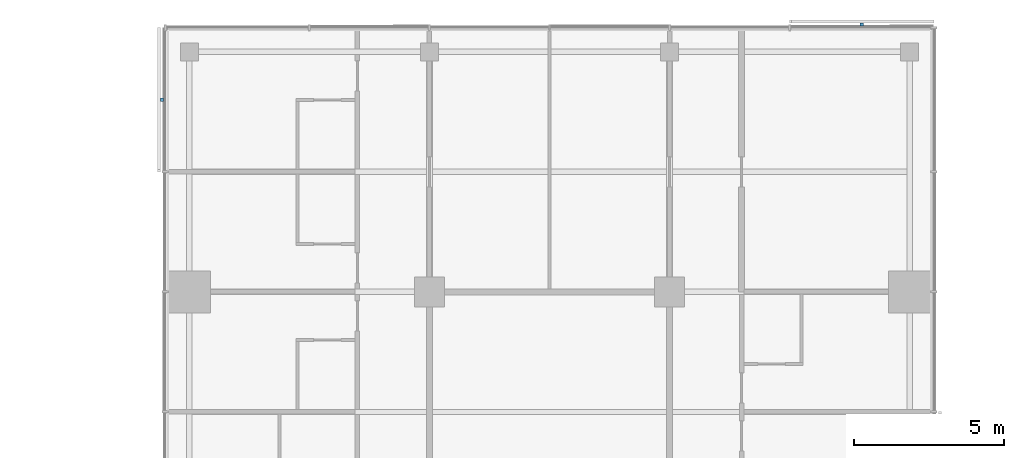
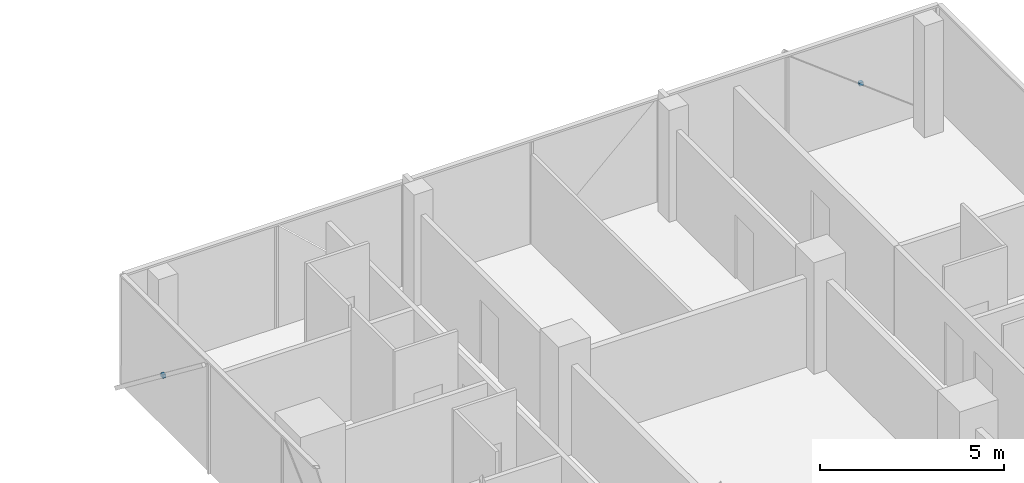
# One storey, part 26 of 27: 2 discrete accessories.
"""IFC4 building model written with IfcOpenShell, lengths in metres."""

from ifc_helpers import new_model, si_unit, direction, frame, origin, origin_2d, place, context, subcontext, project, spatial, rectangle, extrude, material, type_object, element, save


model = new_model("IFC4")

# Units and contexts
model_context = context("Model", 3, precision=1e-05, world=origin(), true_north=direction((0.0, 1.0)))
body_context = subcontext(model_context, "Body", "Model", "MODEL_VIEW")
ifc_project = project(units=[si_unit("LENGTHUNIT", "METRE"), si_unit("AREAUNIT", "SQUARE_METRE"), si_unit("VOLUMEUNIT", "CUBIC_METRE"), si_unit("PLANEANGLEUNIT", "RADIAN"), si_unit("MASSUNIT", "GRAM", prefix="KILO")], contexts=[model_context])

# Site, building, storey
site_placement = place(None, origin())
site = spatial("IfcSite", under=ifc_project, at=site_placement, CompositionType="ELEMENT")
building_placement = place(site_placement, origin())
building = spatial("IfcBuilding", under=site, at=building_placement, Name="Crosswind Convention Tower", CompositionType="ELEMENT")
storey_placement = place(building_placement, frame((0.0, 0.0, 64.60009765625)))
storey = spatial("IfcBuildingStorey", under=building, at=storey_placement, Name="L10", CompositionType="ELEMENT", Elevation=64.60009765625)

# Discrete accessories
ifc_material = material(Name="Stainless steel", Category="steel")
discrete_accessory_type = type_object("IfcDiscreteAccessoryType", Name="BAGUETTE BRACKET BK2", PredefinedType="BRACKET", material=ifc_material)
for number, where, z_axis, x_axis, name in (
    (1, (135.39990234375, 136.907958984375, 1.477294921875), (0.0, 0.0, 1.0), (-1.0, 0.0, 0.0), "BK2 baguette bracket"),
    (2, (112.092041015625, 134.39990234375, 1.477294921875), (0.0, 0.0, 1.0), (0.0, -1.0, 0.0), "BK2 baguette bracket"),
):
    element("IfcDiscreteAccessory", number, at=place(storey_placement, frame(where, z_axis=z_axis, x_axis=x_axis)), inside=storey, type_object=discrete_accessory_type, Name=name, PredefinedType="BRACKET", context=body_context, shape_type="SweptSolid", body=[
        extrude(rectangle(XDim=0.1201171875, YDim=0.10009765625, at=origin_2d()), origin(), (0.0, 0.0, 1.0), 0.1201171875),
    ])

save(model, "model.ifc")
